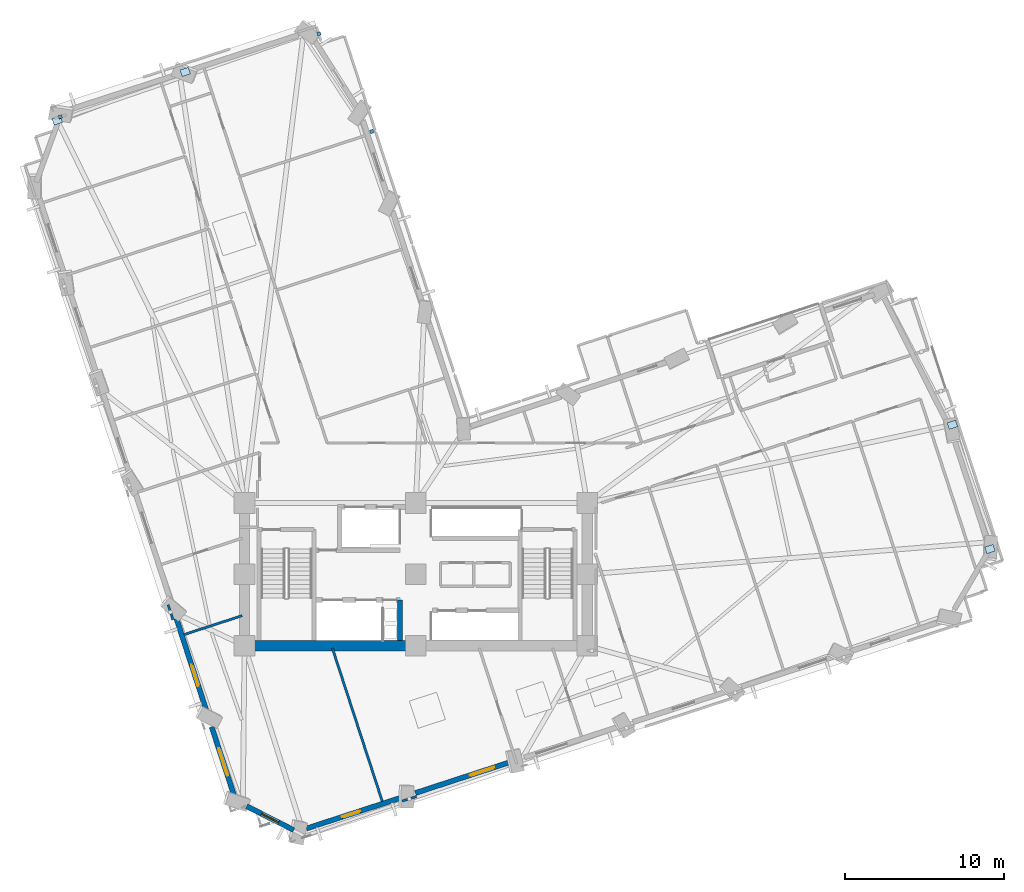
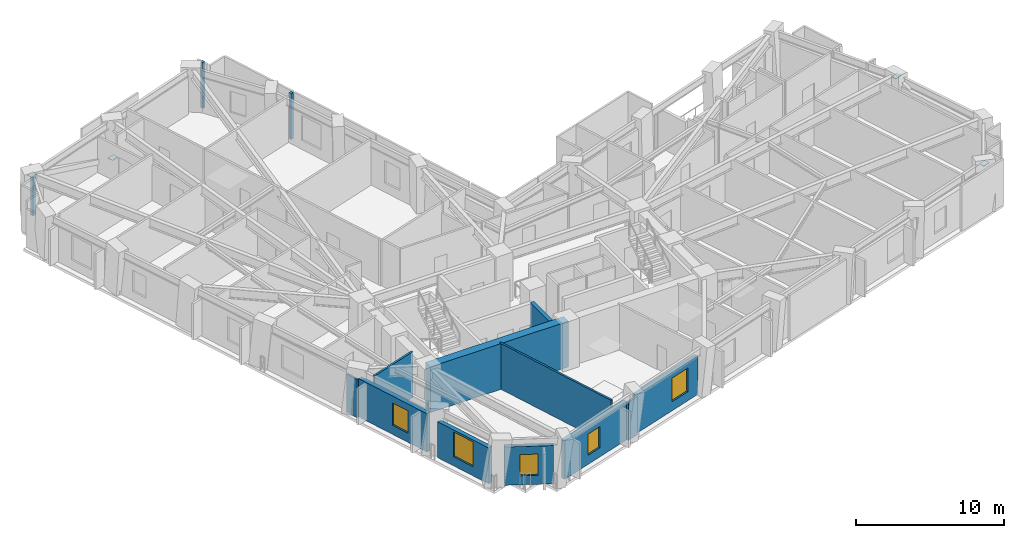
# One storey, part 6 of 16: 11 walls, 7 plates, 5 windows, 5 openings.
"""IFC4 building model written with IfcOpenShell, lengths in metres."""

from ifc_helpers import new_model, si_unit, direction, frame, frame_2d, origin, origin_2d, place, context, subcontext, project, spatial, rectangle, extrude, material, layer, layer_set, type_object, element, fill, save


model = new_model("IFC4")

# Units and contexts
model_context = context("Model", 3, precision=1e-05, world=origin(), true_north=direction((0.0, 1.0)))
body_context = subcontext(model_context, "Body", "Model", "MODEL_VIEW")
ifc_project = project(units=[si_unit("LENGTHUNIT", "METRE"), si_unit("AREAUNIT", "SQUARE_METRE"), si_unit("VOLUMEUNIT", "CUBIC_METRE"), si_unit("PLANEANGLEUNIT", "RADIAN"), si_unit("MASSUNIT", "GRAM", prefix="KILO")], contexts=[model_context])

# Site, building, storey
site_placement = place(None, origin())
site = spatial("IfcSite", under=ifc_project, at=site_placement, CompositionType="ELEMENT")
building_placement = place(site_placement, origin())
building = spatial("IfcBuilding", under=site, at=building_placement, Name="Gaonmaruhae Medical Tower", CompositionType="ELEMENT")
storey_placement = place(building_placement, frame((0.0, 0.0, 100.39990234375)))
storey = spatial("IfcBuildingStorey", under=building, at=storey_placement, Name="L23", CompositionType="ELEMENT", Elevation=100.39990234375)

# Plates
ifc_material_1 = material(Name="Steel HSA650 (650 MPa)", Category="steel")
ifc_layer_1 = layer(ifc_material_1, 0.028076171875)
ifc_layer_set_1 = layer_set([ifc_layer_1], Name="Steel HSA650 (650 MPa)")
plate_type_1 = type_object("IfcPlateType", Name="GP-02 Tube Brace End Cap Gusset Plate", PredefinedType="USERDEFINED", material=ifc_layer_set_1)
for number, where, z_axis, x_axis, name in (
    (1, (60.975830078125, 13.895751953125, 0.23583984375), (0.0, 0.0, 1.0), (0.950786485994, 0.309846829984, 0.0), "L23 Gusset Cap Plate PLT-L23-PBR-E01A"),
    (2, (58.613525390625, 21.72607421875, 3.51611328125), (0.0, 0.0, 1.0), (0.945518575599, 0.325568154457, 0.0), "L23 Gusset Cap Plate PLT-L23-PBR-E01B"),
    (3, (10.26416015625, 43.96240234375, 0.23583984375), (0.0, 0.0, 1.0), (0.950786485994, 0.309846829984, 0.0), "L23 Gusset Cap Plate PLT-L23-PBR-N02A"),
    (4, (2.1962890625, 40.9033203125, 3.51611328125), (0.0, 0.0, 1.0), (0.945518575599, 0.325568154457, 0.0), "L23 Gusset Cap Plate PLT-L23-PBR-N02B"),
):
    element("IfcPlate", number, at=place(storey_placement, frame(where, z_axis=z_axis, x_axis=x_axis)), inside=storey, type_object=plate_type_1, Name=name, ObjectType="GUSSET_PLATE", PredefinedType="USERDEFINED", context=body_context, shape_type="SweptSolid", body=[
        extrude(rectangle(XDim=0.56005859375, YDim=0.43994140625, at=origin_2d()), origin(), (0.0, 0.0, 1.0), 0.028076171875),
    ])
ifc_material_2 = material(Name="Anodised aluminium 6063-T6", Category="aluminium")
ifc_layer_2 = layer(ifc_material_2, 0.011962890625)
ifc_layer_set_2 = layer_set([ifc_layer_2], Name="Anodised aluminium 6063-T6")
plate_type_2 = type_object("IfcPlateType", Name="PP-01 Interior Partition Corner Stiffener Plate", PredefinedType="SHEET", material=ifc_layer_set_2)
plate_placement = place(storey_placement, frame((2.39892578125, 41.136962890625, 0.0), z_axis=(0.0, 0.0, 1.0), x_axis=(0.950683684619, 0.31016210568, 0.0)))
element("IfcPlate", 5, at=plate_placement, inside=storey, type_object=plate_type_2, Name="L23 Partition Corner Stiffener Plate PLT-L23-JGP-PW057", PredefinedType="SHEET", context=body_context, shape_type="SweptSolid", body=[
    extrude(rectangle(XDim=0.219970703125, YDim=0.219970703125, at=origin_2d()), origin(), (0.0, 0.0, 1.0), 3.1650390625),
])
for number, where, z_axis, x_axis, name in (
    (6, (22.0224609375, 40.2109375, 0.0), (0.0, 0.0, 1.0), (-0.950042893617, -0.312119368653, 0.0), "L23 Partition Corner Stiffener Plate PLT-L23-JGP-PW103"),
    (7, (18.681884765625, 46.37060546875, 0.0), (0.0, 0.0, 1.0), (0.309996175353, -0.950737803638, 0.0), "L23 Partition Corner Stiffener Plate PLT-L23-JGP-PW106"),
):
    element("IfcPlate", number, at=place(storey_placement, frame(where, z_axis=z_axis, x_axis=x_axis)), inside=storey, type_object=plate_type_2, Name=name, PredefinedType="SHEET", context=body_context, shape_type="SweptSolid", body=[
        extrude(rectangle(XDim=0.219970703125, YDim=0.219970703125, at=origin_2d()), origin(), (0.0, 0.0, 1.0), 3.780029296875),
    ])

# Wall
ifc_material_3 = material(Name="Concrete C60/75", Category="concrete")
ifc_layer_3 = layer(ifc_material_3, 0.64990234375)
ifc_layer_set_3 = layer_set([ifc_layer_3], Name="Concrete C60/75")
wall_type_1 = type_object("IfcWallType", Name="CW-650 Zone 2 Core Shear Wall", PredefinedType="SHEAR", material=ifc_layer_set_3)
wall_1_placement = place(storey_placement, frame((14.0, 7.800048828125, 0.0), z_axis=(0.0, 0.0, 1.0), x_axis=(1.0, 0.0, 0.0)))
element("IfcWall", 8, at=wall_1_placement, inside=storey, type_object=wall_type_1, Name="L23 Core Shear Wall CSW-S1", PredefinedType="SHEAR", context=body_context, shape_type="SweptSolid", body=[
    extrude(rectangle(XDim=10.800048828125, YDim=0.64990234375, at=frame_2d((5.39990234375, 0.0))), origin(), (0.0, 0.0, 1.0), 3.780029296875),
])

# Wall, opening, window
ifc_material_4 = material(Name="Precast concrete C45/55", Category="concrete")
ifc_layer_4 = layer(ifc_material_4, 0.320068359375)
ifc_layer_set_4 = layer_set([ifc_layer_4], Name="Precast concrete C45/55")
wall_type_2 = type_object("IfcWallType", Name="EW-320 Lower Precast Masonry-Frame Facade Wall", PredefinedType="SOLIDWALL", material=ifc_layer_set_4)
wall_2_placement = place(storey_placement, frame((23.86474609375, -1.7744140625, 0.0), z_axis=(0.0, 0.0, 1.0), x_axis=(-0.950791695774, -0.309830842955, 0.0)))
wall_2 = element("IfcWall", 9, at=wall_2_placement, inside=storey, type_object=wall_type_2, Name="L23 Precast Masonry-Frame Wall S01-S02", PredefinedType="SOLIDWALL", context=body_context, shape_type="SweptSolid", body=[
    extrude(rectangle(XDim=6.27001953125, YDim=0.320068359375, at=frame_2d((3.135009765625, 0.0))), origin(), (0.0, 0.0, 1.0), 3.1650390625),
])
opening_1_placement = place(wall_2_placement, frame((2.71484375, 0.0, 0.75)))
opening_1 = element("IfcOpeningElement", 10, at=opening_1_placement, cuts=wall_2, Name="Opening WN-05", PredefinedType="OPENING", context=body_context, shape_type="SweptSolid", body=[
    extrude(rectangle(XDim=1.199951171875, YDim=1.75, at=frame_2d((0.60009765625, 0.875))), frame((0.0, 0.169921875, 0.0), z_axis=(0.0, -1.0, 0.0), x_axis=(1.0, 0.0, 0.0)), (0.0, 0.0, 1.0), 0.340087890625),
])
ifc_material_5 = material(Name="Anodised aluminium and Low-E double glazing", Category="aluminium")
window_type_1 = type_object("IfcWindowType", Name="WN-05 Support & Staff Punched Window 1200x1750", PartitioningType="SINGLE_PANEL", PredefinedType="WINDOW", material=ifc_material_5)
window_1_placement = place(opening_1_placement, origin())
window_1 = element("IfcWindow", 11, at=window_1_placement, inside=storey, type_object=window_type_1, Name="L23 Modular Facade Window S01", OverallHeight=1.75, OverallWidth=1.199951171875, PartitioningType="SINGLE_PANEL", PredefinedType="WINDOW", context=body_context, shape_type="SweptSolid", body=[
    extrude(rectangle(XDim=1.199951171875, YDim=1.75, at=frame_2d((0.60009765625, 0.875))), frame((0.0, 0.030029296875, 0.0), z_axis=(0.0, -1.0, 0.0), x_axis=(1.0, 0.0, 0.0)), (0.0, 0.0, 1.0), 0.06005859375),
])
fill(opening_1, window_1)

wall_3_placement = place(storey_placement, frame((30.69677734375, 0.4521484375, 0.0), z_axis=(0.0, 0.0, 1.0), x_axis=(-0.950788287958, -0.309841300479, 0.0)))
wall_3 = element("IfcWall", 12, at=wall_3_placement, inside=storey, type_object=wall_type_2, Name="L23 Precast Masonry-Frame Wall S02-S03", PredefinedType="SOLIDWALL", context=body_context, shape_type="SweptSolid", body=[
    extrude(rectangle(XDim=6.234375, YDim=0.320068359375, at=frame_2d((3.1171875, 0.0))), origin(), (0.0, 0.0, 1.0), 3.1650390625),
])
opening_2_placement = place(wall_3_placement, frame((1.0068359375, 0.0, 0.75)))
opening_2 = element("IfcOpeningElement", 13, at=opening_2_placement, cuts=wall_3, Name="Opening WN-01", PredefinedType="OPENING", context=body_context, shape_type="SweptSolid", body=[
    extrude(rectangle(XDim=1.60009765625, YDim=1.949951171875, at=frame_2d((0.800048828125, 0.97509765625))), frame((0.0, 0.169921875, 0.0), z_axis=(0.0, -1.0, 0.0), x_axis=(1.0, 0.0, 0.0)), (0.0, 0.0, 1.0), 0.340087890625),
])
window_type_2 = type_object("IfcWindowType", Name="WN-01 Ward Punched Acoustic Window 1600x1950", PartitioningType="SINGLE_PANEL", PredefinedType="WINDOW", material=ifc_material_5)
window_2_placement = place(opening_2_placement, origin())
window_2 = element("IfcWindow", 14, at=window_2_placement, inside=storey, type_object=window_type_2, Name="L23 Modular Facade Window S02", OverallHeight=1.949951171875, OverallWidth=1.60009765625, PartitioningType="SINGLE_PANEL", PredefinedType="WINDOW", context=body_context, shape_type="SweptSolid", body=[
    extrude(rectangle(XDim=1.60009765625, YDim=1.949951171875, at=frame_2d((0.800048828125, 0.97509765625))), frame((0.0, 0.030029296875, 0.0), z_axis=(0.0, -1.0, 0.0), x_axis=(1.0, 0.0, 0.0)), (0.0, 0.0, 1.0), 0.06005859375),
])
fill(opening_2, window_2)

wall_4_placement = place(storey_placement, frame((11.635498046875, 3.607666015625, 0.0), z_axis=(0.0, 0.0, 1.0), x_axis=(-0.30986565919, 0.950780349637, 0.0)))
wall_4 = element("IfcWall", 15, at=wall_4_placement, inside=storey, type_object=wall_type_2, Name="L23 Precast Masonry-Frame Wall W05-W06", PredefinedType="SOLIDWALL", context=body_context, shape_type="SweptSolid", body=[
    extrude(rectangle(XDim=6.2236328125, YDim=0.320068359375, at=frame_2d((3.11181640625, 0.0))), origin(), (0.0, 0.0, 1.0), 3.1650390625),
])
opening_3_placement = place(wall_4_placement, frame((1.750244140625, 0.0, 0.75)))
opening_3 = element("IfcOpeningElement", 16, at=opening_3_placement, cuts=wall_4, Name="Opening WN-03", PredefinedType="OPENING", context=body_context, shape_type="SweptSolid", body=[
    extrude(rectangle(XDim=1.39990234375, YDim=1.85009765625, at=frame_2d((0.699951171875, 0.925048828125))), frame((0.0, 0.169921875, 0.0), z_axis=(0.0, -1.0, 0.0), x_axis=(1.0, 0.0, 0.0)), (0.0, 0.0, 1.0), 0.340087890625),
])
window_type_3 = type_object("IfcWindowType", Name="WN-03 Isolation Ward Punched Window 1400x1850", PartitioningType="SINGLE_PANEL", PredefinedType="WINDOW", material=ifc_material_5)
window_3_placement = place(opening_3_placement, origin())
window_3 = element("IfcWindow", 17, at=window_3_placement, inside=storey, type_object=window_type_3, Name="L23 Modular Facade Window W05", OverallHeight=1.85009765625, OverallWidth=1.39990234375, PartitioningType="SINGLE_PANEL", PredefinedType="WINDOW", context=body_context, shape_type="SweptSolid", body=[
    extrude(rectangle(XDim=1.39990234375, YDim=1.85009765625, at=frame_2d((0.699951171875, 0.925048828125))), frame((0.0, 0.030029296875, 0.0), z_axis=(0.0, -1.0, 0.0), x_axis=(1.0, 0.0, 0.0)), (0.0, 0.0, 1.0), 0.06005859375),
])
fill(opening_3, window_3)

wall_5_placement = place(storey_placement, frame((13.37451171875, -1.729248046875, 0.0), z_axis=(0.0, 0.0, 1.0), x_axis=(-0.309837885318, 0.950789400878, 0.0)))
wall_5 = element("IfcWall", 18, at=wall_5_placement, inside=storey, type_object=wall_type_2, Name="L23 Precast Masonry-Frame Wall W06-W07", PredefinedType="SOLIDWALL", context=body_context, shape_type="SweptSolid", body=[
    extrude(rectangle(XDim=4.6474609375, YDim=0.320068359375, at=frame_2d((2.32373046875, 0.0))), origin(), (0.0, 0.0, 1.0), 2.965087890625),
])
opening_4_placement = place(wall_5_placement, frame((1.427001953125, 0.0, 0.75)))
opening_4 = element("IfcOpeningElement", 19, at=opening_4_placement, cuts=wall_5, Name="Opening WN-04", PredefinedType="OPENING", context=body_context, shape_type="SweptSolid", body=[
    extrude(rectangle(XDim=1.800048828125, YDim=2.050048828125, at=frame_2d((0.89990234375, 1.02490234375))), frame((0.0, 0.169921875, 0.0), z_axis=(0.0, -1.0, 0.0), x_axis=(1.0, 0.0, 0.0)), (0.0, 0.0, 1.0), 0.340087890625),
])
window_type_4 = type_object("IfcWindowType", Name="WN-04 Clinic & Consult Punched Window 1800x2050", PartitioningType="SINGLE_PANEL", PredefinedType="WINDOW", material=ifc_material_5)
window_4_placement = place(opening_4_placement, origin())
window_4 = element("IfcWindow", 20, at=window_4_placement, inside=storey, type_object=window_type_4, Name="L23 Modular Facade Window W06", OverallHeight=2.050048828125, OverallWidth=1.800048828125, PartitioningType="SINGLE_PANEL", PredefinedType="WINDOW", context=body_context, shape_type="SweptSolid", body=[
    extrude(rectangle(XDim=1.800048828125, YDim=2.050048828125, at=frame_2d((0.89990234375, 1.02490234375))), frame((0.0, 0.030029296875, 0.0), z_axis=(0.0, -1.0, 0.0), x_axis=(1.0, 0.0, 0.0)), (0.0, 0.0, 1.0), 0.06005859375),
])
fill(opening_4, window_4)

wall_6_placement = place(storey_placement, frame((17.096435546875, -3.814453125, 0.0), z_axis=(0.0, 0.0, 1.0), x_axis=(-0.891379595735, 0.453257560673, 0.0)))
wall_6 = element("IfcWall", 21, at=wall_6_placement, inside=storey, type_object=wall_type_2, Name="L23 Precast Masonry-Frame Wall W07-S01", PredefinedType="SOLIDWALL", context=body_context, shape_type="SweptSolid", body=[
    extrude(rectangle(XDim=3.32275390625, YDim=0.320068359375, at=frame_2d((1.661376953125, 0.0))), origin(), (0.0, 0.0, 1.0), 3.1650390625),
])
opening_5_placement = place(wall_6_placement, frame((1.060791015625, 0.0, 0.75)))
opening_5 = element("IfcOpeningElement", 22, at=opening_5_placement, cuts=wall_6, Name="Opening WN-05", PredefinedType="OPENING", context=body_context, shape_type="SweptSolid", body=[
    extrude(rectangle(XDim=1.199951171875, YDim=1.75, at=frame_2d((0.60009765625, 0.875))), frame((0.0, 0.169921875, 0.0), z_axis=(0.0, -1.0, 0.0), x_axis=(1.0, 0.0, 0.0)), (0.0, 0.0, 1.0), 0.340087890625),
])
window_5_placement = place(opening_5_placement, origin())
window_5 = element("IfcWindow", 23, at=window_5_placement, inside=storey, type_object=window_type_1, Name="L23 Modular Facade Window W07", OverallHeight=1.75, OverallWidth=1.199951171875, PartitioningType="SINGLE_PANEL", PredefinedType="WINDOW", context=body_context, shape_type="SweptSolid", body=[
    extrude(rectangle(XDim=1.199951171875, YDim=1.75, at=frame_2d((0.60009765625, 0.875))), frame((0.0, 0.030029296875, 0.0), z_axis=(0.0, -1.0, 0.0), x_axis=(1.0, 0.0, 0.0)), (0.0, 0.0, 1.0), 0.06005859375),
])
fill(opening_5, window_5)

# Walls
ifc_material_6 = material(Name="Gypsum board partition", Category="gypsum")
ifc_layer_5 = layer(ifc_material_6, 0.14990234375)
ifc_layer_set_5 = layer_set([ifc_layer_5], Name="Gypsum board partition")
wall_type_3 = type_object("IfcWallType", Name="PW-150 Rated Clinical Corridor Partition", PredefinedType="PARTITIONING", material=ifc_layer_set_5)
wall_7_placement = place(storey_placement, frame((19.5380859375, 7.64794921875, 0.0), z_axis=(0.0, 0.0, 1.0), x_axis=(0.309807256066, -0.95079938162, 0.0)))
element("IfcWall", 24, at=wall_7_placement, inside=storey, type_object=wall_type_3, Name="L23 Interior Partition L23-SUP02-9", PredefinedType="PARTITIONING", context=body_context, shape_type="SweptSolid", body=[
    extrude(rectangle(XDim=10.1640625, YDim=0.14990234375, at=frame_2d((5.08203125, 0.0))), origin(), (0.0, 0.0, 1.0), 3.780029296875),
])
wall_8_placement = place(storey_placement, frame((24.841064453125, -1.697998046875, 0.0), z_axis=(0.0, 0.0, 1.0), x_axis=(-0.950790628236, -0.30983411894, 0.0)))
element("IfcWall", 25, at=wall_8_placement, inside=storey, type_object=wall_type_3, Name="L23 Interior Partition L23-SUP03-10", PredefinedType="PARTITIONING", context=body_context, shape_type="SweptSolid", body=[
    extrude(rectangle(XDim=0.951904296875, YDim=0.14990234375, at=frame_2d((0.47607421875, 0.0))), origin(), (0.0, 0.0, 1.0), 3.1650390625),
])
wall_9_placement = place(storey_placement, frame((9.488037109375, 9.452880859375, 0.0), z_axis=(0.0, 0.0, 1.0), x_axis=(-0.309091668066, 0.951032250101, 0.0)))
element("IfcWall", 26, at=wall_9_placement, inside=storey, type_object=wall_type_3, Name="L23 Interior Partition L23-WOF12-36", PredefinedType="PARTITIONING", context=body_context, shape_type="SweptSolid", body=[
    extrude(rectangle(XDim=0.986572265625, YDim=0.14990234375, at=frame_2d((0.4931640625, 0.0))), origin(), (0.0, 0.0, 1.0), 3.1650390625),
])
wall_10_placement = place(storey_placement, frame((13.847900390625, 9.696044921875, 0.0), z_axis=(0.0, 0.0, 1.0), x_axis=(-0.950832842999, -0.30970454416, 0.0)))
element("IfcWall", 27, at=wall_10_placement, inside=storey, type_object=wall_type_3, Name="L23 Interior Partition L23-WOF12-38", PredefinedType="PARTITIONING", context=body_context, shape_type="SweptSolid", body=[
    extrude(rectangle(XDim=3.85546875, YDim=0.14990234375, at=frame_2d((1.927734375, 0.0))), origin(), (0.0, 0.0, 1.0), 3.780029296875),
])
ifc_material_7 = material(Name="Concrete C50/60", Category="concrete")
ifc_layer_6 = layer(ifc_material_7, 0.300048828125)
ifc_layer_set_6 = layer_set([ifc_layer_6], Name="Concrete C50/60")
wall_type_4 = type_object("IfcWallType", Name="SW-300 Stair & Lift Hoistway Shaft Wall", PredefinedType="SOLIDWALL", material=ifc_layer_set_6)
wall_11_placement = place(storey_placement, frame((23.800048828125, 8.125, 0.0), z_axis=(0.0, 0.0, 1.0), x_axis=(0.0, 1.0, 0.0)))
element("IfcWall", 28, at=wall_11_placement, inside=storey, type_object=wall_type_4, Name="L23 Shaft Enclosure Wall SHW-FFE", PredefinedType="SOLIDWALL", context=body_context, shape_type="SweptSolid", body=[
    extrude(rectangle(XDim=2.554931640625, YDim=0.300048828125, at=frame_2d((1.27734375, 0.0))), origin(), (0.0, 0.0, 1.0), 3.780029296875),
])

save(model, "model.ifc")
